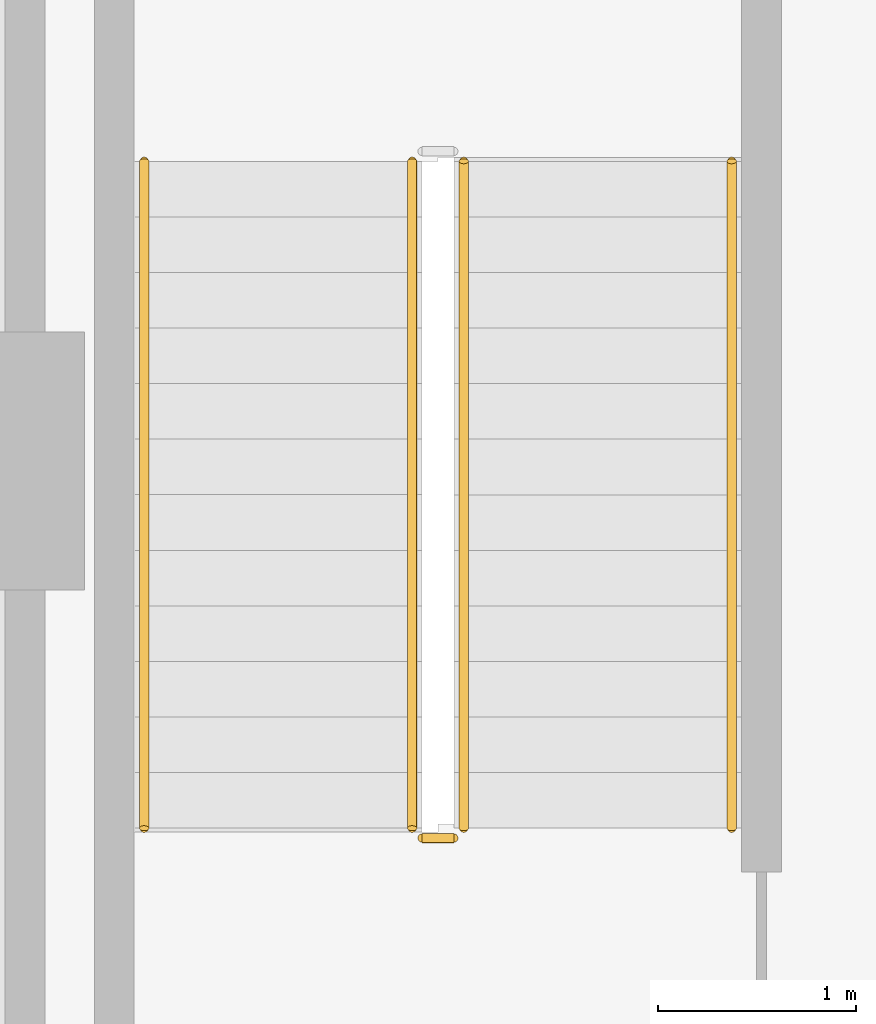
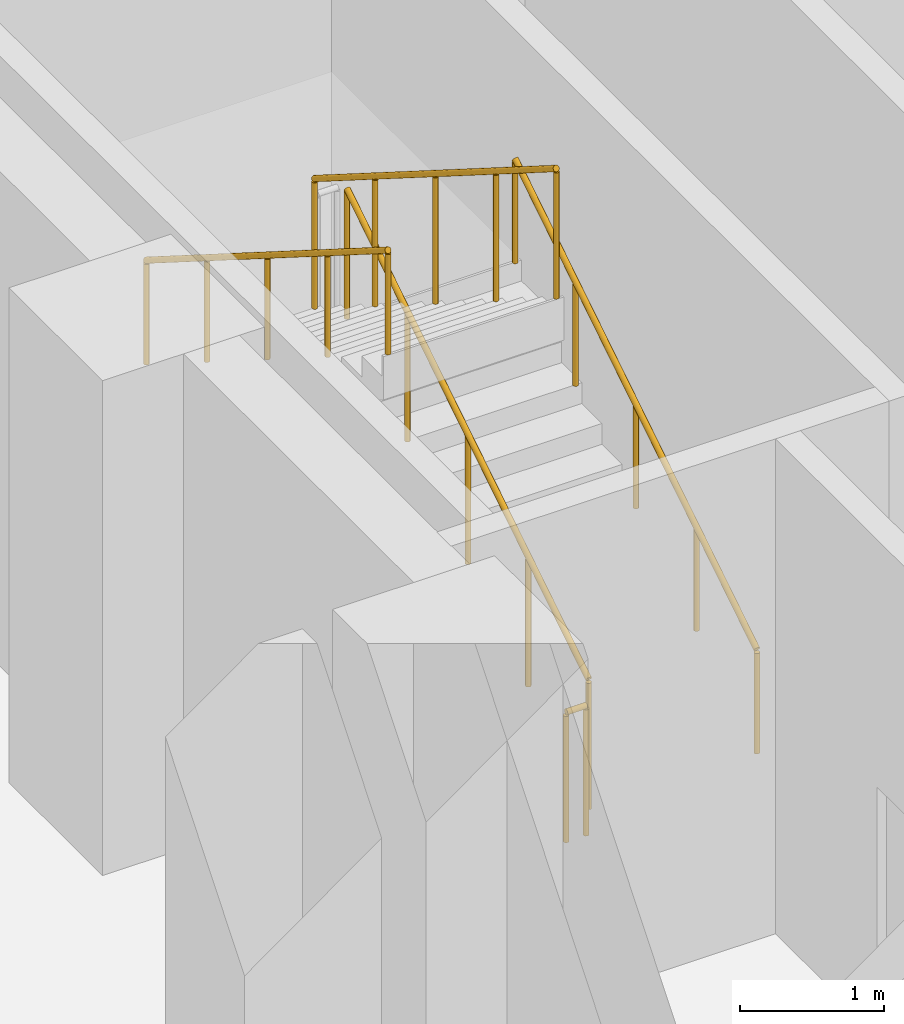
# One storey, part 13 of 17: 5 railings.
"""IFC4 building model written with IfcOpenShell, lengths in metres."""

from ifc_helpers import new_model, si_unit, direction, frame, origin, origin_2d, place, context, subcontext, project, spatial, circle, extrude, material, type_object, element, save


model = new_model("IFC4")

# Units and contexts
model_context = context("Model", 3, precision=1e-05, world=origin(), true_north=direction((0.0, 1.0)))
body_context = subcontext(model_context, "Body", "Model", "MODEL_VIEW")
ifc_project = project(units=[si_unit("LENGTHUNIT", "METRE"), si_unit("AREAUNIT", "SQUARE_METRE"), si_unit("VOLUMEUNIT", "CUBIC_METRE"), si_unit("PLANEANGLEUNIT", "RADIAN"), si_unit("MASSUNIT", "GRAM", prefix="KILO")], contexts=[model_context])

# Site, building, storey
site_placement = place(None, origin())
site = spatial("IfcSite", under=ifc_project, at=site_placement, CompositionType="ELEMENT")
building_placement = place(site_placement, origin())
building = spatial("IfcBuilding", under=site, at=building_placement, Name="Nuvemarco Arch Tower", CompositionType="ELEMENT")
storey_placement = place(building_placement, frame((0.0, 0.0, 18.39990234375)))
storey = spatial("IfcBuildingStorey", under=building, at=storey_placement, Name="L04", CompositionType="ELEMENT", Elevation=18.39990234375)

# Railings
ifc_material_1 = material(Name="Brushed stainless steel handrail", Category="steel")
railing_type_1 = type_object("IfcRailingType", Name="RL-HANDRAIL-900", PredefinedType="HANDRAIL", material=ifc_material_1)
railing_1_placement = place(storey_placement, frame((-13.590087890625, 2.64990234375, 0.177001953125)))
element("IfcRailing", 1, at=railing_1_placement, inside=storey, type_object=railing_type_1, Name="L04 ST-1 stair handrail 1", PredefinedType="HANDRAIL", context=body_context, shape_type="SweptSolid", body=[
    extrude(circle(Radius=0.02392578125, at=origin_2d()), frame((0.0, 0.0, 0.8759765625), z_axis=(0.0, 0.845389635667, 0.534150132366), x_axis=(-1.0, 0.0, 0.0)), (0.0, 0.0, 1.0), 3.974609375),
    extrude(circle(Radius=0.02099609375, at=origin_2d()), origin(), (0.0, 0.0, 1.0), 0.851806640625),
    extrude(circle(Radius=0.02099609375, at=origin_2d()), frame((0.0, 0.840087890625, 0.53076171875)), (0.0, 0.0, 1.0), 0.851806640625),
    extrude(circle(Radius=0.02099609375, at=origin_2d()), frame((0.0, 1.68017578125, 1.0615234375)), (0.0, 0.0, 1.0), 0.851806640625),
    extrude(circle(Radius=0.02099609375, at=origin_2d()), frame((0.0, 2.52001953125, 1.59228515625)), (0.0, 0.0, 1.0), 0.851806640625),
    extrude(circle(Radius=0.02099609375, at=origin_2d()), frame((0.0, 3.360107421875, 2.123046875)), (0.0, 0.0, 1.0), 0.851806640625),
])
railing_2_placement = place(storey_placement, frame((-16.550048828125, 6.010009765625, 2.47705078125)))
element("IfcRailing", 2, at=railing_2_placement, inside=storey, type_object=railing_type_1, Name="L04 ST-1 stair handrail 2", PredefinedType="HANDRAIL", context=body_context, shape_type="SweptSolid", body=[
    extrude(circle(Radius=0.02392578125, at=origin_2d()), frame((0.0, 0.0, 0.8759765625), z_axis=(0.0, -0.845389635667, 0.534150132366), x_axis=(1.0, 0.0, 0.0)), (0.0, 0.0, 1.0), 3.974609375),
    extrude(circle(Radius=0.02099609375, at=origin_2d()), origin(), (0.0, 0.0, 1.0), 0.851806640625),
    extrude(circle(Radius=0.02099609375, at=origin_2d()), frame((0.0, -0.840087890625, 0.53076171875)), (0.0, 0.0, 1.0), 0.851806640625),
    extrude(circle(Radius=0.02099609375, at=origin_2d()), frame((0.0, -1.68017578125, 1.0615234375)), (0.0, 0.0, 1.0), 0.851806640625),
    extrude(circle(Radius=0.02099609375, at=origin_2d()), frame((0.0, -2.52001953125, 1.59228515625)), (0.0, 0.0, 1.0), 0.851806640625),
    extrude(circle(Radius=0.02099609375, at=origin_2d()), frame((0.0, -3.360107421875, 2.123046875)), (0.0, 0.0, 1.0), 0.851806640625),
])
ifc_material_2 = material(Name="Painted balustrade steel S355", Category="steel")
railing_type_2 = type_object("IfcRailingType", Name="RL-STAIR-GUARD", PredefinedType="GUARDRAIL", material=ifc_material_2)
railing_3_placement = place(storey_placement, frame((-14.93994140625, 2.64990234375, 0.177001953125)))
element("IfcRailing", 3, at=railing_3_placement, inside=storey, type_object=railing_type_2, Name="L04 ST-1 stair guard 1", PredefinedType="GUARDRAIL", context=body_context, shape_type="SweptSolid", body=[
    extrude(circle(Radius=0.02392578125, at=origin_2d()), frame((0.0, 0.0, 1.09619140625), z_axis=(0.0, 0.845389635667, 0.534150132366), x_axis=(-1.0, 0.0, 0.0)), (0.0, 0.0, 1.0), 3.974609375),
    extrude(circle(Radius=0.02099609375, at=origin_2d()), origin(), (0.0, 0.0, 1.0), 1.072021484375),
    extrude(circle(Radius=0.02099609375, at=origin_2d()), frame((0.0, 0.840087890625, 0.53076171875)), (0.0, 0.0, 1.0), 1.072021484375),
    extrude(circle(Radius=0.02099609375, at=origin_2d()), frame((0.0, 1.68017578125, 1.0615234375)), (0.0, 0.0, 1.0), 1.072021484375),
    extrude(circle(Radius=0.02099609375, at=origin_2d()), frame((0.0, 2.52001953125, 1.59228515625)), (0.0, 0.0, 1.0), 1.072021484375),
    extrude(circle(Radius=0.02099609375, at=origin_2d()), frame((0.0, 3.360107421875, 2.123046875)), (0.0, 0.0, 1.0), 1.072021484375),
])
railing_4_placement = place(storey_placement, frame((-15.199951171875, 6.010009765625, 2.47705078125)))
element("IfcRailing", 4, at=railing_4_placement, inside=storey, type_object=railing_type_2, Name="L04 ST-1 stair guard 3", PredefinedType="GUARDRAIL", context=body_context, shape_type="SweptSolid", body=[
    extrude(circle(Radius=0.02392578125, at=origin_2d()), frame((0.0, 0.0, 1.09619140625), z_axis=(0.0, -0.845389635667, 0.534150132366), x_axis=(1.0, 0.0, 0.0)), (0.0, 0.0, 1.0), 3.974609375),
    extrude(circle(Radius=0.02099609375, at=origin_2d()), origin(), (0.0, 0.0, 1.0), 1.072021484375),
    extrude(circle(Radius=0.02099609375, at=origin_2d()), frame((0.0, -0.840087890625, 0.53076171875)), (0.0, 0.0, 1.0), 1.072021484375),
    extrude(circle(Radius=0.02099609375, at=origin_2d()), frame((0.0, -1.68017578125, 1.0615234375)), (0.0, 0.0, 1.0), 1.072021484375),
    extrude(circle(Radius=0.02099609375, at=origin_2d()), frame((0.0, -2.52001953125, 1.59228515625)), (0.0, 0.0, 1.0), 1.072021484375),
    extrude(circle(Radius=0.02099609375, at=origin_2d()), frame((0.0, -3.360107421875, 2.123046875)), (0.0, 0.0, 1.0), 1.072021484375),
])
railing_5_placement = place(storey_placement, frame((-14.989990234375, 2.60009765625, 0.0)))
element("IfcRailing", 5, at=railing_5_placement, inside=storey, type_object=railing_type_2, Name="L04 ST-1 stair guard 4", PredefinedType="GUARDRAIL", context=body_context, shape_type="SweptSolid", body=[
    extrude(circle(Radius=0.02392578125, at=origin_2d()), frame((0.0, 0.0, 1.09619140625), z_axis=(-1.0, 0.0, 0.0), x_axis=(0.0, -1.0, 0.0)), (0.0, 0.0, 1.0), 0.159912109375),
    extrude(circle(Radius=0.02099609375, at=origin_2d()), origin(), (0.0, 0.0, 1.0), 1.072021484375),
    extrude(circle(Radius=0.02099609375, at=origin_2d()), frame((-0.159912109375, 0.0, 0.0)), (0.0, 0.0, 1.0), 1.072021484375),
])

save(model, "model.ifc")
